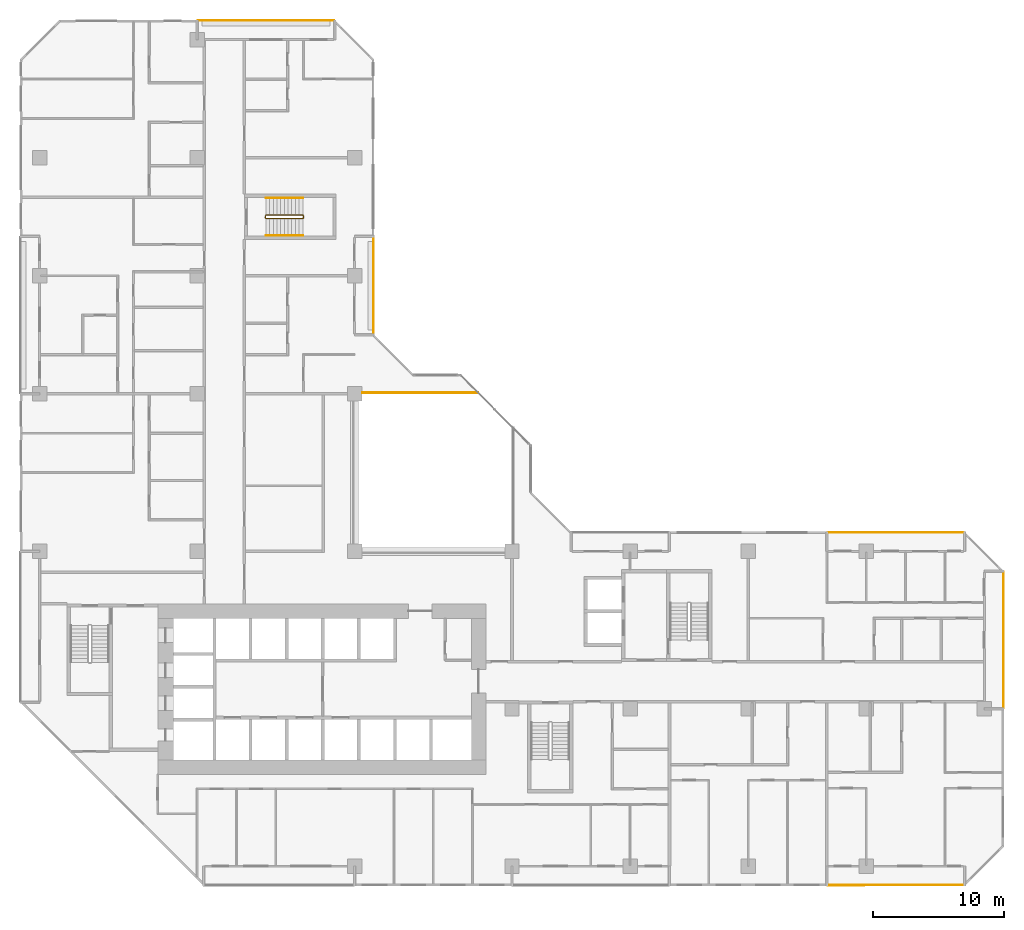
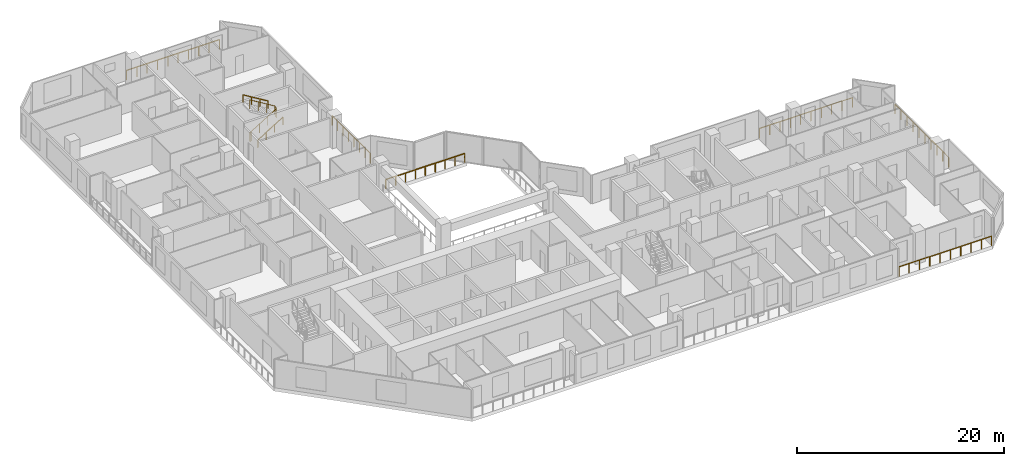
# One storey, part 15 of 15: 9 railings.
"""IFC4 building model written with IfcOpenShell, lengths in metres."""

import ifcopenshell
import ifcopenshell.guid

model = None  # the IFC model being written
_history = None  # IfcOwnerHistory: only IFC2X3 demands one
_inside = {}  # id of a spatial element -> (the spatial element, [elements in it])
_under = {}  # id of a project, library or spatial element -> (it, [spatial elements below it])
_declared = {}  # id of a project -> (the project, [libraries it declares])
_typed = {}  # id of a type object -> (the type object, [elements of that type])
_made_of = {}  # id of a material, layer set ... -> (it, [elements and type objects made of it])


def new_model(schema):
    """Start an empty IFC model of exactly this schema.

    Asked for "IFC4X3", IfcOpenShell would pick the latest addendum, in which some entities
    have other attributes; the version numbers below select the first issue.
    IFC2X3 requires an IfcOwnerHistory on every rooted entity: one is made here for all.
    """
    global model, _history
    if schema == "IFC4X3":
        model = ifcopenshell.file(schema_version=(4, 3, 0, 0))
    else:
        model = ifcopenshell.file(schema=schema)
    _inside.clear()
    _under.clear()
    _declared.clear()
    _typed.clear()
    _made_of.clear()
    _history = None
    if model.schema == "IFC2X3":
        org = make("IfcOrganization", Name="unknown")
        user = make(
            "IfcPersonAndOrganization",
            ThePerson=make("IfcPerson", FamilyName="unknown"),
            TheOrganization=org,
        )
        app = make(
            "IfcApplication",
            ApplicationDeveloper=org,
            Version="unknown",
            ApplicationFullName="unknown",
            ApplicationIdentifier="unknown",
        )
        _history = make(
            "IfcOwnerHistory",
            OwningUser=user,
            OwningApplication=app,
            ChangeAction="ADDED",
            CreationDate=0,
        )
    return model


def make(cls, **values):
    """One entity of the class cls with the attributes given. An attribute that is None is left unset."""
    return model.create_entity(
        cls, **{name: value for name, value in values.items() if value is not None}
    )


def rooted(cls, **values):
    """An entity with a GlobalId (a new one), such as an element, a storey or a relation."""
    return make(cls, GlobalId=ifcopenshell.guid.new(), OwnerHistory=_history, **values)


def si_unit(unit_type, name, prefix=None):
    """IfcSIUnit, for example si_unit("LENGTHUNIT", "METRE", prefix="MILLI")."""
    return make("IfcSIUnit", UnitType=unit_type, Prefix=prefix, Name=name)


def assignment(units):
    """IfcUnitAssignment: the units of a project."""
    return None if units is None else make("IfcUnitAssignment", Units=units)


def point(xyz):
    """IfcCartesianPoint."""
    return None if xyz is None else make("IfcCartesianPoint", Coordinates=xyz)


def direction(xyz):
    """IfcDirection."""
    return None if xyz is None else make("IfcDirection", DirectionRatios=xyz)


def frame(location, z_axis=None, x_axis=None):
    """IfcAxis2Placement3D, a coordinate frame: its origin and axes. An axis left out is left unset."""
    return make(
        "IfcAxis2Placement3D",
        Location=point(location),
        Axis=direction(z_axis),
        RefDirection=direction(x_axis),
    )


def frame_2d(location, x_axis=None):
    """IfcAxis2Placement2D, a coordinate frame in the plane: its origin and x axis."""
    return make(
        "IfcAxis2Placement2D", Location=point(location), RefDirection=direction(x_axis)
    )


def origin():
    """The frame at (0, 0, 0) with its axes left unset."""
    return frame((0.0, 0.0, 0.0))


def origin_2d():
    """The frame at (0, 0) in the plane with its x axis left unset."""
    return frame_2d((0.0, 0.0))


def place(relative_to, where):
    """IfcLocalPlacement: puts the frame where relative to a parent placement (None: the world)."""
    return make(
        "IfcLocalPlacement", PlacementRelTo=relative_to, RelativePlacement=where
    )


def context(
    kind, dimensions, precision=None, world=None, true_north=None, identifier=None
):
    """IfcGeometricRepresentationContext, for example the 3D "Model" context."""
    return make(
        "IfcGeometricRepresentationContext",
        ContextIdentifier=identifier,
        ContextType=kind,
        CoordinateSpaceDimension=dimensions,
        Precision=precision,
        WorldCoordinateSystem=world,
        TrueNorth=true_north,
    )


def subcontext(parent, identifier, kind, view, scale=None):
    """IfcGeometricRepresentationSubContext, for example "Body" below "Model"."""
    return make(
        "IfcGeometricRepresentationSubContext",
        ContextIdentifier=identifier,
        ContextType=kind,
        ParentContext=parent,
        TargetScale=scale,
        TargetView=view,
    )


def project(units=None, contexts=None):
    """IfcProject with its units and contexts."""
    return rooted(
        "IfcProject",
        Name="project",
        RepresentationContexts=contexts,
        UnitsInContext=assignment(units),
    )


def spatial(cls, under=None, at=None, **own):
    """A site, building, storey or space (cls), placed at a placement, below another one or the project."""
    s = rooted(cls, ObjectPlacement=at, **own)
    if under is not None:
        _under.setdefault(under.id(), (under, []))[1].append(s)
    return s


def profile(cls, at=None, kind="AREA", **sizes):
    """A parametric profile (cls). Its sizes go by their IFC names, for example OverallWidth=200.0."""
    return make(cls, ProfileType=kind, Position=at, **sizes)


def rectangle(**sizes):
    """IfcRectangleProfileDef."""
    return profile("IfcRectangleProfileDef", **sizes)


def extrude(swept, where, along, depth):
    """IfcExtrudedAreaSolid: the profile swept, set in the frame where, extruded along a direction by depth."""
    return make(
        "IfcExtrudedAreaSolid",
        SweptArea=swept,
        Position=where,
        ExtrudedDirection=direction(along),
        Depth=depth,
    )


def shape(context_of_items, identifier, shape_type, items):
    """IfcShapeRepresentation: the items that make up one representation, for example the "Body"."""
    return make(
        "IfcShapeRepresentation",
        ContextOfItems=context_of_items,
        RepresentationIdentifier=identifier,
        RepresentationType=shape_type,
        Items=items,
    )


def material(Name=None, Category=None):
    """IfcMaterial."""
    return make("IfcMaterial", Name=Name, Category=Category)


def made_of(thing, what):
    """Note that an element or type object is made of a material, layer set ...; save() writes the relation."""
    if what is not None:
        _made_of.setdefault(what.id(), (what, []))[1].append(thing)
    return thing


def type_object(cls, material=None, **own):
    """A type object (cls), such as IfcWallType, which elements share."""
    return made_of(rooted(cls, **own), material)


def element(
    cls,
    number,
    at=None,
    inside=None,
    cuts=None,
    type_object=None,
    material=None,
    context=None,
    identifier="Body",
    shape_type=None,
    held_by="IfcProductDefinitionShape",
    body=None,
    shapes=None,
    **own,
):
    """One element of the class cls, such as IfcWall. Its Tag is "e" and its number.

    at: its placement. inside: the storey or other place that contains it. cuts: it is an
    opening in that element (IfcRelVoidsElement). A single representation is given by context,
    identifier, shape_type and body (its items); several are given by shapes. held_by: the class
    of the entity that holds the representations. save() writes the other relations.
    """
    e = rooted(cls, Tag="e%d" % number, ObjectPlacement=at, **own)
    if body is not None:
        shapes = [shape(context, identifier, shape_type, body)]
    if shapes is not None:
        e.Representation = make(held_by, Representations=shapes)
    if inside is not None:
        _inside.setdefault(inside.id(), (inside, []))[1].append(e)
    if cuts is not None:
        rooted(
            "IfcRelVoidsElement", RelatingBuildingElement=cuts, RelatedOpeningElement=e
        )
    if type_object is not None:
        _typed.setdefault(type_object.id(), (type_object, []))[1].append(e)
    return made_of(e, material)


def aggregate(whole, parts):
    """IfcRelAggregates: a whole, such as a stair, and the parts it consists of."""
    return rooted("IfcRelAggregates", RelatingObject=whole, RelatedObjects=parts)


def save(model, path):
    """Write the relations noted so far, then the file.

    IfcRelAggregates (storeys below a building ...), IfcRelContainedInSpatialStructure (elements
    in a storey), IfcRelDefinesByType, IfcRelAssociatesMaterial and IfcRelDeclares: one each for
    every whole, place, type object, material and project.
    """
    for whole, parts in _under.values():
        aggregate(whole, parts)
    for where, things in _inside.values():
        rooted(
            "IfcRelContainedInSpatialStructure",
            RelatedElements=things,
            RelatingStructure=where,
        )
    for kind, things in _typed.values():
        rooted("IfcRelDefinesByType", RelatedObjects=things, RelatingType=kind)
    for what, things in _made_of.values():
        rooted("IfcRelAssociatesMaterial", RelatedObjects=things, RelatingMaterial=what)
    for by, libraries in _declared.values():
        rooted("IfcRelDeclares", RelatingContext=by, RelatedDefinitions=libraries)
    model.write(path)


model = new_model("IFC4")

# Units and contexts
model_context = context("Model", 3, precision=1e-05, world=origin(), true_north=direction((0.0, 1.0)))
body_context = subcontext(model_context, "Body", "Model", "MODEL_VIEW")
ifc_project = project(units=[si_unit("LENGTHUNIT", "METRE"), si_unit("AREAUNIT", "SQUARE_METRE"), si_unit("VOLUMEUNIT", "CUBIC_METRE"), si_unit("PLANEANGLEUNIT", "RADIAN"), si_unit("MASSUNIT", "GRAM", prefix="KILO")], contexts=[model_context])

# Site, building, storey
site_placement = place(None, origin())
site = spatial("IfcSite", under=ifc_project, at=site_placement, CompositionType="ELEMENT")
building_placement = place(site_placement, origin())
building = spatial("IfcBuilding", under=site, at=building_placement, Name="Chenar Terraces", CompositionType="ELEMENT")
storey_placement = place(building_placement, frame((0.0, 0.0, 45.14990234375)))
storey = spatial("IfcBuildingStorey", under=building, at=storey_placement, Name="L08", CompositionType="ELEMENT", Elevation=45.14990234375)

# Railings
ifc_material_1 = material(Name="Powder-coated steel", Category="steel")
railing_type_1 = type_object("IfcRailingType", Name="Guard 1100 steel rail with glass infill", PredefinedType="GUARDRAIL", material=ifc_material_1)
railing_1_placement = place(storey_placement, frame((24.60009765625, 36.10009765625, 0.0)))
element("IfcRailing", 1, at=railing_1_placement, inside=storey, type_object=railing_type_1, Name="Guard L08-2", PredefinedType="GUARDRAIL", context=body_context, shape_type="SweptSolid", body=[
    extrude(rectangle(XDim=0.06005859375, YDim=0.06005859375, at=origin_2d()), frame((0.0, 0.0, 1.070068359375), z_axis=(1.0, 0.0, 0.0), x_axis=(0.0, 1.0, 0.0)), (0.0, 0.0, 1.0), 8.7998046875),
    extrude(rectangle(XDim=0.050048828125, YDim=0.050048828125, at=origin_2d()), origin(), (0.0, 0.0, 1.0), 1.0400390625),
    extrude(rectangle(XDim=0.050048828125, YDim=0.050048828125, at=origin_2d()), frame((1.10009765625, 0.0, 0.0)), (0.0, 0.0, 1.0), 1.0400390625),
    extrude(rectangle(XDim=0.050048828125, YDim=0.050048828125, at=origin_2d()), frame((2.199951171875, 0.0, 0.0)), (0.0, 0.0, 1.0), 1.0400390625),
    extrude(rectangle(XDim=0.050048828125, YDim=0.050048828125, at=origin_2d()), frame((3.2998046875, 0.0, 0.0)), (0.0, 0.0, 1.0), 1.0400390625),
    extrude(rectangle(XDim=0.050048828125, YDim=0.050048828125, at=origin_2d()), frame((4.39990234375, 0.0, 0.0)), (0.0, 0.0, 1.0), 1.0400390625),
    extrude(rectangle(XDim=0.050048828125, YDim=0.050048828125, at=origin_2d()), frame((5.5, 0.0, 0.0)), (0.0, 0.0, 1.0), 1.0400390625),
    extrude(rectangle(XDim=0.050048828125, YDim=0.050048828125, at=origin_2d()), frame((6.599853515625, 0.0, 0.0)), (0.0, 0.0, 1.0), 1.0400390625),
    extrude(rectangle(XDim=0.050048828125, YDim=0.050048828125, at=origin_2d()), frame((7.69970703125, 0.0, 0.0)), (0.0, 0.0, 1.0), 1.0400390625),
    extrude(rectangle(XDim=0.050048828125, YDim=0.050048828125, at=origin_2d()), frame((8.7998046875, 0.0, 0.0)), (0.0, 0.0, 1.0), 1.0400390625),
])
ifc_material_2 = material(Name="Stainless steel and glass", Category="steel")
railing_type_2 = type_object("IfcRailingType", Name="Loggia guard 1150", PredefinedType="GUARDRAIL", material=ifc_material_2)
railing_2_placement = place(storey_placement, frame((25.449951171875, 40.574951171875, 0.0)))
element("IfcRailing", 2, at=railing_2_placement, inside=storey, type_object=railing_type_2, Name="Loggia guard", PredefinedType="GUARDRAIL", context=body_context, shape_type="SweptSolid", body=[
    extrude(rectangle(XDim=0.048095703125, YDim=0.048095703125, at=origin_2d()), frame((0.0, 0.0, 1.1259765625), z_axis=(0.0, 1.0, 0.0), x_axis=(-1.0, 0.0, 0.0)), (0.0, 0.0, 1.0), 7.35009765625),
    extrude(rectangle(XDim=0.0419921875, YDim=0.0419921875, at=origin_2d()), origin(), (0.0, 0.0, 1.0), 1.101806640625),
    extrude(rectangle(XDim=0.0419921875, YDim=0.0419921875, at=origin_2d()), frame((0.0, 1.050048828125, 0.0)), (0.0, 0.0, 1.0), 1.101806640625),
    extrude(rectangle(XDim=0.0419921875, YDim=0.0419921875, at=origin_2d()), frame((0.0, 2.10009765625, 0.0)), (0.0, 0.0, 1.0), 1.101806640625),
    extrude(rectangle(XDim=0.0419921875, YDim=0.0419921875, at=origin_2d()), frame((0.0, 3.150146484375, 0.0)), (0.0, 0.0, 1.0), 1.101806640625),
    extrude(rectangle(XDim=0.0419921875, YDim=0.0419921875, at=origin_2d()), frame((0.0, 4.199951171875, 0.0)), (0.0, 0.0, 1.0), 1.101806640625),
    extrude(rectangle(XDim=0.0419921875, YDim=0.0419921875, at=origin_2d()), frame((0.0, 5.25, 0.0)), (0.0, 0.0, 1.0), 1.101806640625),
    extrude(rectangle(XDim=0.0419921875, YDim=0.0419921875, at=origin_2d()), frame((0.0, 6.300048828125, 0.0)), (0.0, 0.0, 1.0), 1.101806640625),
    extrude(rectangle(XDim=0.0419921875, YDim=0.0419921875, at=origin_2d()), frame((0.0, 7.35009765625, 0.0)), (0.0, 0.0, 1.0), 1.101806640625),
])
railing_3_placement = place(storey_placement, frame((73.449951171875, 12.074951171875, 0.0)))
element("IfcRailing", 3, at=railing_3_placement, inside=storey, type_object=railing_type_2, Name="Loggia guard", PredefinedType="GUARDRAIL", context=body_context, shape_type="SweptSolid", body=[
    extrude(rectangle(XDim=0.048095703125, YDim=0.048095703125, at=origin_2d()), frame((0.0, 0.0, 1.1259765625), z_axis=(0.0, 1.0, 0.0), x_axis=(-1.0, 0.0, 0.0)), (0.0, 0.0, 1.0), 10.35009765625),
    extrude(rectangle(XDim=0.0419921875, YDim=0.0419921875, at=origin_2d()), origin(), (0.0, 0.0, 1.0), 1.101806640625),
    extrude(rectangle(XDim=0.0419921875, YDim=0.0419921875, at=origin_2d()), frame((0.0, 1.14990234375, 0.0)), (0.0, 0.0, 1.0), 1.101806640625),
    extrude(rectangle(XDim=0.0419921875, YDim=0.0419921875, at=origin_2d()), frame((0.0, 2.300048828125, 0.0)), (0.0, 0.0, 1.0), 1.101806640625),
    extrude(rectangle(XDim=0.0419921875, YDim=0.0419921875, at=origin_2d()), frame((0.0, 3.449951171875, 0.0)), (0.0, 0.0, 1.0), 1.101806640625),
    extrude(rectangle(XDim=0.0419921875, YDim=0.0419921875, at=origin_2d()), frame((0.0, 4.60009765625, 0.0)), (0.0, 0.0, 1.0), 1.101806640625),
    extrude(rectangle(XDim=0.0419921875, YDim=0.0419921875, at=origin_2d()), frame((0.0, 5.75, 0.0)), (0.0, 0.0, 1.0), 1.101806640625),
    extrude(rectangle(XDim=0.0419921875, YDim=0.0419921875, at=origin_2d()), frame((0.0, 6.900146484375, 0.0)), (0.0, 0.0, 1.0), 1.101806640625),
    extrude(rectangle(XDim=0.0419921875, YDim=0.0419921875, at=origin_2d()), frame((0.0, 8.050048828125, 0.0)), (0.0, 0.0, 1.0), 1.101806640625),
    extrude(rectangle(XDim=0.0419921875, YDim=0.0419921875, at=origin_2d()), frame((0.0, 9.2001953125, 0.0)), (0.0, 0.0, 1.0), 1.101806640625),
    extrude(rectangle(XDim=0.0419921875, YDim=0.0419921875, at=origin_2d()), frame((0.0, 10.35009765625, 0.0)), (0.0, 0.0, 1.0), 1.101806640625),
])
for number, where, name in (
    (4, (70.425048828125, 25.449951171875, 0.0), "Loggia guard"),
    (5, (22.425048828125, 64.449951171875, 0.0), "Loggia guard"),
):
    element("IfcRailing", number, at=place(storey_placement, frame(where)), inside=storey, type_object=railing_type_2, Name=name, PredefinedType="GUARDRAIL", context=body_context, shape_type="SweptSolid", body=[
        extrude(rectangle(XDim=0.048095703125, YDim=0.048095703125, at=origin_2d()), frame((0.0, 0.0, 1.1259765625), z_axis=(-1.0, 0.0, 0.0), x_axis=(0.0, -1.0, 0.0)), (0.0, 0.0, 1.0), 10.35009765625),
        extrude(rectangle(XDim=0.0419921875, YDim=0.0419921875, at=origin_2d()), origin(), (0.0, 0.0, 1.0), 1.101806640625),
        extrude(rectangle(XDim=0.0419921875, YDim=0.0419921875, at=origin_2d()), frame((-1.14990234375, 0.0, 0.0)), (0.0, 0.0, 1.0), 1.101806640625),
        extrude(rectangle(XDim=0.0419921875, YDim=0.0419921875, at=origin_2d()), frame((-2.300048828125, 0.0, 0.0)), (0.0, 0.0, 1.0), 1.101806640625),
        extrude(rectangle(XDim=0.0419921875, YDim=0.0419921875, at=origin_2d()), frame((-3.449951171875, 0.0, 0.0)), (0.0, 0.0, 1.0), 1.101806640625),
        extrude(rectangle(XDim=0.0419921875, YDim=0.0419921875, at=origin_2d()), frame((-4.60009765625, 0.0, 0.0)), (0.0, 0.0, 1.0), 1.101806640625),
        extrude(rectangle(XDim=0.0419921875, YDim=0.0419921875, at=origin_2d()), frame((-5.75, 0.0, 0.0)), (0.0, 0.0, 1.0), 1.101806640625),
        extrude(rectangle(XDim=0.0419921875, YDim=0.0419921875, at=origin_2d()), frame((-6.900146484375, 0.0, 0.0)), (0.0, 0.0, 1.0), 1.101806640625),
        extrude(rectangle(XDim=0.0419921875, YDim=0.0419921875, at=origin_2d()), frame((-8.050048828125, 0.0, 0.0)), (0.0, 0.0, 1.0), 1.101806640625),
        extrude(rectangle(XDim=0.0419921875, YDim=0.0419921875, at=origin_2d()), frame((-9.2001953125, 0.0, 0.0)), (0.0, 0.0, 1.0), 1.101806640625),
        extrude(rectangle(XDim=0.0419921875, YDim=0.0419921875, at=origin_2d()), frame((-10.35009765625, 0.0, 0.0)), (0.0, 0.0, 1.0), 1.101806640625),
    ])
railing_4_placement = place(storey_placement, frame((60.074951171875, -1.449951171875, 0.0)))
element("IfcRailing", 6, at=railing_4_placement, inside=storey, type_object=railing_type_2, Name="Loggia guard", PredefinedType="GUARDRAIL", context=body_context, shape_type="SweptSolid", body=[
    extrude(rectangle(XDim=0.048095703125, YDim=0.048095703125, at=origin_2d()), frame((0.0, 0.0, 1.1259765625), z_axis=(1.0, 0.0, 0.0), x_axis=(0.0, 1.0, 0.0)), (0.0, 0.0, 1.0), 10.35009765625),
    extrude(rectangle(XDim=0.0419921875, YDim=0.0419921875, at=origin_2d()), origin(), (0.0, 0.0, 1.0), 1.101806640625),
    extrude(rectangle(XDim=0.0419921875, YDim=0.0419921875, at=origin_2d()), frame((1.14990234375, 0.0, 0.0)), (0.0, 0.0, 1.0), 1.101806640625),
    extrude(rectangle(XDim=0.0419921875, YDim=0.0419921875, at=origin_2d()), frame((2.300048828125, 0.0, 0.0)), (0.0, 0.0, 1.0), 1.101806640625),
    extrude(rectangle(XDim=0.0419921875, YDim=0.0419921875, at=origin_2d()), frame((3.449951171875, 0.0, 0.0)), (0.0, 0.0, 1.0), 1.101806640625),
    extrude(rectangle(XDim=0.0419921875, YDim=0.0419921875, at=origin_2d()), frame((4.60009765625, 0.0, 0.0)), (0.0, 0.0, 1.0), 1.101806640625),
    extrude(rectangle(XDim=0.0419921875, YDim=0.0419921875, at=origin_2d()), frame((5.75, 0.0, 0.0)), (0.0, 0.0, 1.0), 1.101806640625),
    extrude(rectangle(XDim=0.0419921875, YDim=0.0419921875, at=origin_2d()), frame((6.900146484375, 0.0, 0.0)), (0.0, 0.0, 1.0), 1.101806640625),
    extrude(rectangle(XDim=0.0419921875, YDim=0.0419921875, at=origin_2d()), frame((8.050048828125, 0.0, 0.0)), (0.0, 0.0, 1.0), 1.101806640625),
    extrude(rectangle(XDim=0.0419921875, YDim=0.0419921875, at=origin_2d()), frame((9.2001953125, 0.0, 0.0)), (0.0, 0.0, 1.0), 1.101806640625),
    extrude(rectangle(XDim=0.0419921875, YDim=0.0419921875, at=origin_2d()), frame((10.35009765625, 0.0, 0.0)), (0.0, 0.0, 1.0), 1.101806640625),
])
ifc_material_3 = material(Name="Powder-coated steel", Category="steel")
railing_type_3 = type_object("IfcRailingType", Name="Stair guard 1100", PredefinedType="GUARDRAIL", material=ifc_material_3)
railing_5_placement = place(storey_placement, frame((17.25, 49.625, 3.75)))
element("IfcRailing", 7, at=railing_5_placement, inside=storey, type_object=railing_type_3, Name="L08 ST4 stair guard 1", PredefinedType="GUARDRAIL", context=body_context, shape_type="SweptSolid", body=[
    extrude(rectangle(XDim=0.048095703125, YDim=0.048095703125, at=origin_2d()), frame((0.0, 0.0, 1.076171875), z_axis=(0.854202870247, 0.0, -0.519939858505), x_axis=(0.0, 1.0, 0.0)), (0.0, 0.0, 1.0), 3.278076171875),
    extrude(rectangle(XDim=0.048095703125, YDim=0.048095703125, at=origin_2d()), frame((2.800048828125, 0.0, -0.62841796875), z_axis=(0.270899902878, -0.270899902878, -0.923702595667), x_axis=(0.707106781187, 0.707106781187, 0.0)), (0.0, 0.0, 1.0), 0.184814453125),
    extrude(rectangle(XDim=0.048095703125, YDim=0.048095703125, at=origin_2d()), frame((2.85009765625, -0.050048828125, -0.798828125), z_axis=(0.0, -1.0, 0.0), x_axis=(1.0, 0.0, 0.0)), (0.0, 0.0, 1.0), 0.14990234375),
    extrude(rectangle(XDim=0.048095703125, YDim=0.048095703125, at=origin_2d()), frame((2.85009765625, -0.199951171875, -0.798828125), z_axis=(-0.707106781187, -0.707106781187, 0.0), x_axis=(0.707106781187, -0.707106781187, 0.0)), (0.0, 0.0, 1.0), 0.07080078125),
    extrude(rectangle(XDim=0.048095703125, YDim=0.048095703125, at=origin_2d()), frame((2.800048828125, -0.25, -0.798828125), z_axis=(-0.854202870247, 0.0, -0.519939858505), x_axis=(0.0, -1.0, 0.0)), (0.0, 0.0, 1.0), 3.278076171875),
    extrude(rectangle(XDim=0.048095703125, YDim=0.048095703125, at=origin_2d()), frame((0.0, -0.25, -2.50341796875), z_axis=(-0.270899902878, 0.270899902878, -0.923702595667), x_axis=(-0.707106781187, -0.707106781187, 0.0)), (0.0, 0.0, 1.0), 0.184814453125),
    extrude(rectangle(XDim=0.048095703125, YDim=0.048095703125, at=origin_2d()), frame((-0.050048828125, -0.199951171875, -2.673828125), z_axis=(0.0, 1.0, 0.0), x_axis=(-1.0, 0.0, 0.0)), (0.0, 0.0, 1.0), 0.14990234375),
    extrude(rectangle(XDim=0.0419921875, YDim=0.0419921875, at=origin_2d()), origin(), (0.0, 0.0, 1.0), 1.052001953125),
    extrude(rectangle(XDim=0.0419921875, YDim=0.0419921875, at=origin_2d()), frame((0.933349609375, 0.0, -0.568115234375)), (0.0, 0.0, 1.0), 1.052001953125),
    extrude(rectangle(XDim=0.0419921875, YDim=0.0419921875, at=origin_2d()), frame((1.86669921875, 0.0, -1.13623046875)), (0.0, 0.0, 1.0), 1.052001953125),
    extrude(rectangle(XDim=0.0419921875, YDim=0.0419921875, at=origin_2d()), frame((2.800048828125, 0.0, -1.704345703125)), (0.0, 0.0, 1.0), 1.052001953125),
    extrude(rectangle(XDim=0.0419921875, YDim=0.0419921875, at=origin_2d()), frame((2.85009765625, -0.050048828125, -1.875)), (0.0, 0.0, 1.0), 1.052001953125),
    extrude(rectangle(XDim=0.0419921875, YDim=0.0419921875, at=origin_2d()), frame((2.85009765625, -0.199951171875, -1.875)), (0.0, 0.0, 1.0), 1.052001953125),
    extrude(rectangle(XDim=0.0419921875, YDim=0.0419921875, at=origin_2d()), frame((2.800048828125, -0.25, -1.875)), (0.0, 0.0, 1.0), 1.052001953125),
    extrude(rectangle(XDim=0.0419921875, YDim=0.0419921875, at=origin_2d()), frame((1.86669921875, -0.25, -2.443115234375)), (0.0, 0.0, 1.0), 1.052001953125),
    extrude(rectangle(XDim=0.0419921875, YDim=0.0419921875, at=origin_2d()), frame((0.933349609375, -0.25, -3.01123046875)), (0.0, 0.0, 1.0), 1.052001953125),
    extrude(rectangle(XDim=0.0419921875, YDim=0.0419921875, at=origin_2d()), frame((0.0, -0.25, -3.579345703125)), (0.0, 0.0, 1.0), 1.052001953125),
    extrude(rectangle(XDim=0.0419921875, YDim=0.0419921875, at=origin_2d()), frame((-0.050048828125, -0.199951171875, -3.75)), (0.0, 0.0, 1.0), 1.052001953125),
    extrude(rectangle(XDim=0.0419921875, YDim=0.0419921875, at=origin_2d()), frame((-0.050048828125, -0.050048828125, -3.75)), (0.0, 0.0, 1.0), 1.052001953125),
])
ifc_material_4 = material(Name="Powder-coated steel", Category="steel")
railing_type_4 = type_object("IfcRailingType", Name="Stair handrail 900", PredefinedType="HANDRAIL", material=ifc_material_4)
railing_6_placement = place(storey_placement, frame((17.25, 48.074951171875, 0.170654296875)))
element("IfcRailing", 8, at=railing_6_placement, inside=storey, type_object=railing_type_4, Name="L08 ST4 stair handrail 1", PredefinedType="HANDRAIL", context=body_context, shape_type="SweptSolid", body=[
    extrude(rectangle(XDim=0.048095703125, YDim=0.048095703125, at=origin_2d()), frame((0.0, 0.0, 0.8759765625), z_axis=(0.854202870247, 0.0, 0.519939858505), x_axis=(0.0, 1.0, 0.0)), (0.0, 0.0, 1.0), 3.278076171875),
    extrude(rectangle(XDim=0.0419921875, YDim=0.0419921875, at=origin_2d()), origin(), (0.0, 0.0, 1.0), 0.851806640625),
    extrude(rectangle(XDim=0.0419921875, YDim=0.0419921875, at=origin_2d()), frame((0.933349609375, 0.0, 0.568115234375)), (0.0, 0.0, 1.0), 0.851806640625),
    extrude(rectangle(XDim=0.0419921875, YDim=0.0419921875, at=origin_2d()), frame((1.86669921875, 0.0, 1.13623046875)), (0.0, 0.0, 1.0), 0.851806640625),
    extrude(rectangle(XDim=0.0419921875, YDim=0.0419921875, at=origin_2d()), frame((2.800048828125, 0.0, 1.704345703125)), (0.0, 0.0, 1.0), 0.851806640625),
])
railing_7_placement = place(storey_placement, frame((20.050048828125, 50.925048828125, 2.045654296875)))
element("IfcRailing", 9, at=railing_7_placement, inside=storey, type_object=railing_type_4, Name="L08 ST4 stair handrail 2", PredefinedType="HANDRAIL", context=body_context, shape_type="SweptSolid", body=[
    extrude(rectangle(XDim=0.048095703125, YDim=0.048095703125, at=origin_2d()), frame((0.0, 0.0, 0.8759765625), z_axis=(-0.854202870247, 0.0, 0.519939858505), x_axis=(0.0, -1.0, 0.0)), (0.0, 0.0, 1.0), 3.278076171875),
    extrude(rectangle(XDim=0.0419921875, YDim=0.0419921875, at=origin_2d()), origin(), (0.0, 0.0, 1.0), 0.851806640625),
    extrude(rectangle(XDim=0.0419921875, YDim=0.0419921875, at=origin_2d()), frame((-0.933349609375, 0.0, 0.568115234375)), (0.0, 0.0, 1.0), 0.851806640625),
    extrude(rectangle(XDim=0.0419921875, YDim=0.0419921875, at=origin_2d()), frame((-1.86669921875, 0.0, 1.13623046875)), (0.0, 0.0, 1.0), 0.851806640625),
    extrude(rectangle(XDim=0.0419921875, YDim=0.0419921875, at=origin_2d()), frame((-2.800048828125, 0.0, 1.704345703125)), (0.0, 0.0, 1.0), 0.851806640625),
])

save(model, "model.ifc")
